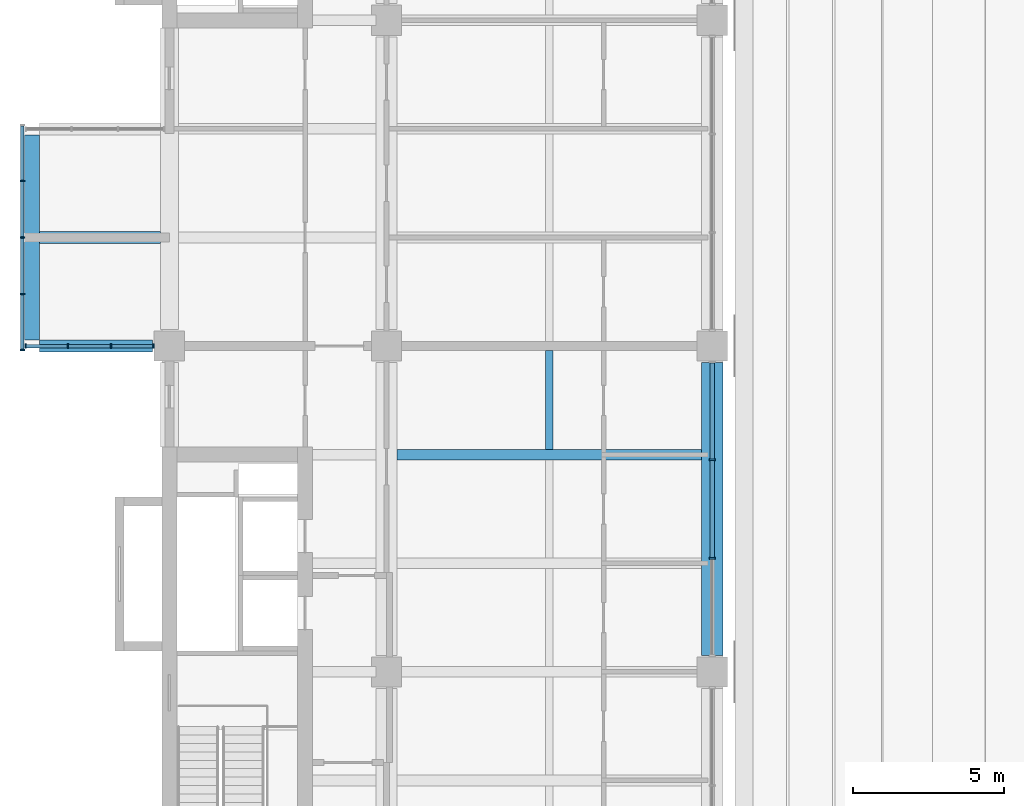
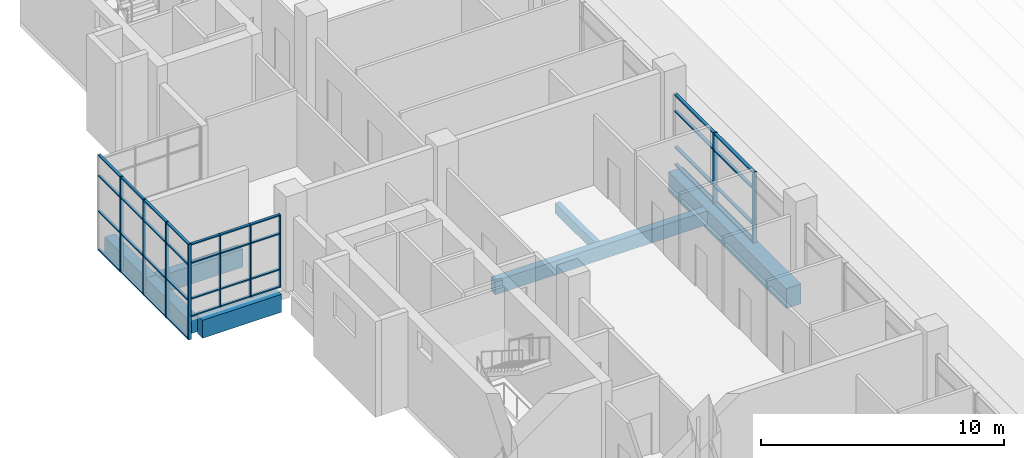
# One storey, part 10 of 45: 46 members, 7 beams, 3 elements without a shape of their own.
"""IFC4 building model written with IfcOpenShell, lengths in metres."""

from ifc_helpers import new_model, si_unit, direction, frame, origin, origin_2d, place, context, subcontext, project, spatial, rectangle, extrude, material, layer, layer_set, material_profile, profile_set, type_object, element, aggregate, save


model = new_model("IFC4")

# Units and contexts
model_context = context("Model", 3, precision=1e-05, world=origin(), true_north=direction((0.0, 1.0)))
body_context = subcontext(model_context, "Body", "Model", "MODEL_VIEW")
ifc_project = project(units=[si_unit("LENGTHUNIT", "METRE"), si_unit("AREAUNIT", "SQUARE_METRE"), si_unit("VOLUMEUNIT", "CUBIC_METRE"), si_unit("PLANEANGLEUNIT", "RADIAN"), si_unit("MASSUNIT", "GRAM", prefix="KILO")], contexts=[model_context])

# Site, building, storey
site_placement = place(None, origin())
site = spatial("IfcSite", under=ifc_project, at=site_placement, CompositionType="ELEMENT")
building_placement = place(site_placement, origin())
building = spatial("IfcBuilding", under=site, at=building_placement, Name="Basin Gate Institute", CompositionType="ELEMENT")
storey_placement = place(building_placement, frame((0.0, 0.0, 22.199951171875)))
storey = spatial("IfcBuildingStorey", under=building, at=storey_placement, Name="L04", CompositionType="ELEMENT", Elevation=22.199951171875)

# Beams
ifc_material_1 = material(Name="Concrete 40 MPa", Category="concrete")
ifc_material_profile_1 = material_profile(ifc_material_1, rectangle(XDim=0.35009765625, YDim=0.699951171875, at=origin_2d()), Name="Beam B1 350 x 700")
ifc_profile_set_1 = profile_set([ifc_material_profile_1], Name="Concrete 40 MPa")
beam_type_1 = type_object("IfcBeamType", Name="Beam B1 R120", PredefinedType="BEAM", material=ifc_profile_set_1)
beam_1_placement = place(storey_placement, frame((68.75, 74.699951171875, -0.599853515625), z_axis=(1.0, 0.0, 0.0), x_axis=(0.0, 1.0, 0.0)))
element("IfcBeam", 1, at=beam_1_placement, inside=storey, type_object=beam_type_1, material=ifc_profile_set_1, Name="BEAM/L04/W/EW/12", PredefinedType="BEAM", context=body_context, shape_type="SweptSolid", body=[
    extrude(rectangle(XDim=0.35009765625, YDim=0.699951171875, at=origin_2d()), origin(), (0.0, 0.0, 1.0), 10.10009765625),
])
ifc_material_2 = material(Name="Concrete 50 MPa", Category="concrete")
ifc_material_profile_2 = material_profile(ifc_material_2, rectangle(XDim=0.39990234375, YDim=0.89990234375, at=origin_2d()), Name="Cantilever beam B3 400 x 900")
ifc_profile_set_2 = profile_set([ifc_material_profile_2], Name="Concrete 50 MPa")
beam_type_2 = type_object("IfcBeamType", Name="Cantilever beam B3 R120", PredefinedType="BEAM", material=ifc_profile_set_2)
beam_2_placement = place(storey_placement, frame((56.89990234375, 78.300048828125, -0.699951171875), z_axis=(1.0, 0.0, 0.0), x_axis=(0.0, 1.0, 0.0)))
element("IfcBeam", 2, at=beam_2_placement, inside=storey, type_object=beam_type_2, material=ifc_profile_set_2, Name="BEAM/L04/W/CANT/13", PredefinedType="BEAM", context=body_context, shape_type="SweptSolid", body=[
    extrude(rectangle(XDim=0.39990234375, YDim=0.89990234375, at=origin_2d()), origin(), (0.0, 0.0, 1.0), 3.75),
])
beam_3_placement = place(storey_placement, frame((56.89990234375, 81.89990234375, -0.699951171875), z_axis=(1.0, 0.0, 0.0), x_axis=(0.0, 1.0, 0.0)))
element("IfcBeam", 3, at=beam_3_placement, inside=storey, type_object=beam_type_2, material=ifc_profile_set_2, Name="BEAM/L04/W/CANT/14", PredefinedType="BEAM", context=body_context, shape_type="SweptSolid", body=[
    extrude(rectangle(XDim=0.39990234375, YDim=0.89990234375, at=origin_2d()), origin(), (0.0, 0.0, 1.0), 4.0),
])
ifc_material_3 = material(Name="Concrete 50 MPa", Category="concrete")
ifc_material_profile_3 = material_profile(ifc_material_3, rectangle(XDim=0.699951171875, YDim=1.0, at=origin_2d()), Name="Girder G1 700 x 1000")
ifc_profile_set_3 = profile_set([ifc_material_profile_3], Name="Concrete 50 MPa")
beam_type_3 = type_object("IfcBeamType", Name="Girder G1 R120", PredefinedType="BEAM", material=ifc_profile_set_3)
beam_4_placement = place(storey_placement, frame((79.199951171875, 68.050048828125, -0.75), z_axis=(0.0, 1.0, 0.0), x_axis=(-1.0, 0.0, 0.0)))
element("IfcBeam", 4, at=beam_4_placement, inside=storey, type_object=beam_type_3, material=ifc_profile_set_3, Name="GIR/L04/W6/4", PredefinedType="BEAM", context=body_context, shape_type="SweptSolid", body=[
    extrude(rectangle(XDim=0.699951171875, YDim=1.0, at=origin_2d()), origin(), (0.0, 0.0, 1.0), 9.699951171875),
])

# Curtain wall, members
ifc_material_4 = material(Name="Aluminium-framed glazing", Category="aluminium")
ifc_layer_1 = layer(ifc_material_4, 0.14990234375)
ifc_layer_set_1 = layer_set([ifc_layer_1], Name="Capsule front curtain wall CW1")
curtain_wall_type_1 = type_object("IfcCurtainWallType", Name="Capsule front curtain wall CW1", PredefinedType="NOTDEFINED", material=ifc_layer_set_1)
curtain_wall_1_placement = place(storey_placement, origin())
curtain_wall_1 = element("IfcCurtainWall", 5, at=curtain_wall_1_placement, inside=storey, type_object=curtain_wall_type_1, material=ifc_layer_set_1, Name="Capsule front curtain wall W wing capsule end L04 line 13", PredefinedType="NOTDEFINED")
ifc_material_5 = material(Name="Aluminium", Category="aluminium")
ifc_material_profile_4 = material_profile(ifc_material_5, rectangle(XDim=0.14990234375, YDim=0.050048828125, at=origin_2d()), Name="Mullion MU1 150 x 50")
ifc_profile_set_4 = profile_set([ifc_material_profile_4], Name="Aluminium")
member_type_1 = type_object("IfcMemberType", Name="Mullion MU1", PredefinedType="MULLION", material=ifc_profile_set_4)
member_1_placement = place(storey_placement, frame((56.425048828125, 78.300048828125, 0.0), z_axis=(0.0, 0.0, 1.0), x_axis=(0.0, 1.0, 0.0)))
member_1 = element("IfcMember", 6, at=member_1_placement, type_object=member_type_1, material=ifc_profile_set_4, Name="CW1 mullion 1", PredefinedType="MULLION", context=body_context, shape_type="SweptSolid", body=[
    extrude(rectangle(XDim=0.14990234375, YDim=0.050048828125, at=origin_2d()), origin(), (0.0, 0.0, 1.0), 3.650146484375),
])
member_2_placement = place(storey_placement, frame((57.833251953125, 78.300048828125, 0.0), z_axis=(0.0, 0.0, 1.0), x_axis=(0.0, 1.0, 0.0)))
member_2 = element("IfcMember", 7, at=member_2_placement, type_object=member_type_1, material=ifc_profile_set_4, Name="CW1 mullion 2", PredefinedType="MULLION", context=body_context, shape_type="SweptSolid", body=[
    extrude(rectangle(XDim=0.14990234375, YDim=0.050048828125, at=origin_2d()), origin(), (0.0, 0.0, 1.0), 3.650146484375),
])
member_3_placement = place(storey_placement, frame((59.2666015625, 78.300048828125, 0.0), z_axis=(0.0, 0.0, 1.0), x_axis=(0.0, 1.0, 0.0)))
member_3 = element("IfcMember", 8, at=member_3_placement, type_object=member_type_1, material=ifc_profile_set_4, Name="CW1 mullion 3", PredefinedType="MULLION", context=body_context, shape_type="SweptSolid", body=[
    extrude(rectangle(XDim=0.14990234375, YDim=0.050048828125, at=origin_2d()), origin(), (0.0, 0.0, 1.0), 3.650146484375),
])
member_4_placement = place(storey_placement, frame((60.675048828125, 78.300048828125, 0.0), z_axis=(0.0, 0.0, 1.0), x_axis=(0.0, 1.0, 0.0)))
member_4 = element("IfcMember", 9, at=member_4_placement, type_object=member_type_1, material=ifc_profile_set_4, Name="CW1 mullion 4", PredefinedType="MULLION", context=body_context, shape_type="SweptSolid", body=[
    extrude(rectangle(XDim=0.14990234375, YDim=0.050048828125, at=origin_2d()), origin(), (0.0, 0.0, 1.0), 3.650146484375),
])

curtain_wall_2_placement = place(storey_placement, origin())
curtain_wall_2 = element("IfcCurtainWall", 10, at=curtain_wall_2_placement, inside=storey, type_object=curtain_wall_type_1, material=ifc_layer_set_1, Name="Capsule front curtain wall W wing capsule 2 L04 front 2", PredefinedType="NOTDEFINED")
member_5_placement = place(storey_placement, frame((56.324951171875, 78.175048828125, -1.050048828125), z_axis=(0.0, 0.0, 1.0), x_axis=(-1.0, 0.0, 0.0)))
member_5 = element("IfcMember", 11, at=member_5_placement, type_object=member_type_1, material=ifc_profile_set_4, Name="CW1 mullion 1", PredefinedType="MULLION", context=body_context, shape_type="SweptSolid", body=[
    extrude(rectangle(XDim=0.14990234375, YDim=0.050048828125, at=origin_2d()), origin(), (0.0, 0.0, 1.0), 4.800048828125),
])
member_6_placement = place(storey_placement, frame((56.324951171875, 80.02490234375, -1.050048828125), z_axis=(0.0, 0.0, 1.0), x_axis=(-1.0, 0.0, 0.0)))
member_6 = element("IfcMember", 12, at=member_6_placement, type_object=member_type_1, material=ifc_profile_set_4, Name="CW1 mullion 2", PredefinedType="MULLION", context=body_context, shape_type="SweptSolid", body=[
    extrude(rectangle(XDim=0.14990234375, YDim=0.050048828125, at=origin_2d()), origin(), (0.0, 0.0, 1.0), 4.800048828125),
])
member_7_placement = place(storey_placement, frame((56.324951171875, 81.89990234375, -1.050048828125), z_axis=(0.0, 0.0, 1.0), x_axis=(-1.0, 0.0, 0.0)))
member_7 = element("IfcMember", 13, at=member_7_placement, type_object=member_type_1, material=ifc_profile_set_4, Name="CW1 mullion 3", PredefinedType="MULLION", context=body_context, shape_type="SweptSolid", body=[
    extrude(rectangle(XDim=0.14990234375, YDim=0.050048828125, at=origin_2d()), origin(), (0.0, 0.0, 1.0), 4.800048828125),
])
member_8_placement = place(storey_placement, frame((56.324951171875, 83.77490234375, -1.050048828125), z_axis=(0.0, 0.0, 1.0), x_axis=(-1.0, 0.0, 0.0)))
member_8 = element("IfcMember", 14, at=member_8_placement, type_object=member_type_1, material=ifc_profile_set_4, Name="CW1 mullion 4", PredefinedType="MULLION", context=body_context, shape_type="SweptSolid", body=[
    extrude(rectangle(XDim=0.14990234375, YDim=0.050048828125, at=origin_2d()), origin(), (0.0, 0.0, 1.0), 4.800048828125),
])

ifc_material_6 = material(Name="Aluminium-framed glazing", Category="aluminium")
ifc_layer_2 = layer(ifc_material_6, 0.199951171875)
ifc_layer_set_2 = layer_set([ifc_layer_2], Name="Atrium curtain wall CW2")
curtain_wall_type_2 = type_object("IfcCurtainWallType", Name="Atrium curtain wall CW2", PredefinedType="NOTDEFINED", material=ifc_layer_set_2)
curtain_wall_3_placement = place(storey_placement, origin())
curtain_wall_3 = element("IfcCurtainWall", 15, at=curtain_wall_3_placement, inside=storey, type_object=curtain_wall_type_2, material=ifc_layer_set_2, Name="Atrium curtain wall W wing atrium bay 4 L04", PredefinedType="NOTDEFINED")
ifc_material_7 = material(Name="Aluminium", Category="aluminium")
ifc_material_profile_5 = material_profile(ifc_material_7, rectangle(XDim=0.199951171875, YDim=0.06005859375, at=origin_2d()), Name="Mullion MU2 200 x 60")
ifc_profile_set_5 = profile_set([ifc_material_profile_5], Name="Aluminium")
member_type_2 = type_object("IfcMemberType", Name="Mullion MU2", PredefinedType="MULLION", material=ifc_profile_set_5)
member_9_placement = place(storey_placement, frame((79.199951171875, 71.2666015625, 0.0), z_axis=(0.0, 0.0, 1.0), x_axis=(-1.0, 0.0, 0.0)))
member_9 = element("IfcMember", 16, at=member_9_placement, type_object=member_type_2, material=ifc_profile_set_5, Name="CW2 mullion 2", PredefinedType="MULLION", context=body_context, shape_type="SweptSolid", body=[
    extrude(rectangle(XDim=0.199951171875, YDim=0.06005859375, at=origin_2d()), origin(), (0.0, 0.0, 1.0), 3.550048828125),
])
member_10_placement = place(storey_placement, frame((79.199951171875, 74.533447265625, 0.0), z_axis=(0.0, 0.0, 1.0), x_axis=(-1.0, 0.0, 0.0)))
member_10 = element("IfcMember", 17, at=member_10_placement, type_object=member_type_2, material=ifc_profile_set_5, Name="CW2 mullion 3", PredefinedType="MULLION", context=body_context, shape_type="SweptSolid", body=[
    extrude(rectangle(XDim=0.199951171875, YDim=0.06005859375, at=origin_2d()), origin(), (0.0, 0.0, 1.0), 3.550048828125),
])

# Beams
ifc_material_8 = material(Name="Concrete 40 MPa", Category="concrete")
ifc_material_profile_6 = material_profile(ifc_material_8, rectangle(XDim=0.25, YDim=0.5, at=origin_2d()), Name="Rib R1 250 x 500")
ifc_profile_set_6 = profile_set([ifc_material_profile_6], Name="Concrete 40 MPa")
beam_type_4 = type_object("IfcBeamType", Name="Rib R1 R120", PredefinedType="JOIST", material=ifc_profile_set_6)
beam_5_placement = place(storey_placement, frame((73.800048828125, 74.875, -0.5), z_axis=(0.0, 1.0, 0.0), x_axis=(-1.0, 0.0, 0.0)))
element("IfcBeam", 18, at=beam_5_placement, inside=storey, type_object=beam_type_4, material=ifc_profile_set_6, Name="BEAM/L04/W/RIB/12", PredefinedType="JOIST", context=body_context, shape_type="SweptSolid", body=[
    extrude(rectangle(XDim=0.25, YDim=0.5, at=origin_2d()), origin(), (0.0, 0.0, 1.0), 3.27490234375),
])
ifc_material_9 = material(Name="Concrete 50 MPa", Category="concrete")
ifc_material_profile_7 = material_profile(ifc_material_9, rectangle(XDim=0.5, YDim=0.800048828125, at=origin_2d()), Name="Tip beam TB1 500 x 800")
ifc_profile_set_7 = profile_set([ifc_material_profile_7], Name="Concrete 50 MPa")
beam_type_5 = type_object("IfcBeamType", Name="Tip beam TB1 R120", PredefinedType="SPANDREL", material=ifc_profile_set_7)
beam_6_placement = place(storey_placement, frame((56.64990234375, 78.5, -0.64990234375), z_axis=(0.0, 1.0, 0.0), x_axis=(-1.0, 0.0, 0.0)))
element("IfcBeam", 19, at=beam_6_placement, inside=storey, type_object=beam_type_5, material=ifc_profile_set_7, Name="BEAM/L04/W/TIP/6", PredefinedType="SPANDREL", context=body_context, shape_type="SweptSolid", body=[
    extrude(rectangle(XDim=0.5, YDim=0.800048828125, at=origin_2d()), origin(), (0.0, 0.0, 1.0), 3.39990234375),
])
beam_7_placement = place(storey_placement, frame((56.64990234375, 81.89990234375, -0.64990234375), z_axis=(0.0, 1.0, 0.0), x_axis=(-1.0, 0.0, 0.0)))
element("IfcBeam", 20, at=beam_7_placement, inside=storey, type_object=beam_type_5, material=ifc_profile_set_7, Name="BEAM/L04/W/TIP/7", PredefinedType="SPANDREL", context=body_context, shape_type="SweptSolid", body=[
    extrude(rectangle(XDim=0.5, YDim=0.800048828125, at=origin_2d()), origin(), (0.0, 0.0, 1.0), 3.400146484375),
])

# Member
ifc_material_10 = material(Name="Aluminium", Category="aluminium")
ifc_material_profile_8 = material_profile(ifc_material_10, rectangle(XDim=0.1201171875, YDim=0.06005859375, at=origin_2d()), Name="Transom TR1 120 x 60")
ifc_profile_set_8 = profile_set([ifc_material_profile_8], Name="Aluminium")
member_type_3 = type_object("IfcMemberType", Name="Transom TR1", PredefinedType="USERDEFINED", material=ifc_profile_set_8)
member_11_placement = place(storey_placement, frame((56.449951171875, 78.300048828125, 0.030029296875), z_axis=(1.0, 0.0, 0.0), x_axis=(0.0, 1.0, 0.0)))
member_11 = element("IfcMember", 21, at=member_11_placement, type_object=member_type_3, material=ifc_profile_set_8, Name="CW1 transom 1.1", ObjectType="TRANSOM", PredefinedType="USERDEFINED", context=body_context, shape_type="SweptSolid", body=[
    extrude(rectangle(XDim=0.1201171875, YDim=0.06005859375, at=origin_2d()), origin(), (0.0, 0.0, 1.0), 1.3583984375),
])

member_12_placement = place(storey_placement, frame((56.449951171875, 78.300048828125, 0.900146484375), z_axis=(1.0, 0.0, 0.0), x_axis=(0.0, 1.0, 0.0)))
member_12 = element("IfcMember", 22, at=member_12_placement, type_object=member_type_3, material=ifc_profile_set_8, Name="CW1 transom 1.2", ObjectType="TRANSOM", PredefinedType="USERDEFINED", context=body_context, shape_type="SweptSolid", body=[
    extrude(rectangle(XDim=0.1201171875, YDim=0.06005859375, at=origin_2d()), origin(), (0.0, 0.0, 1.0), 1.3583984375),
])

member_13_placement = place(storey_placement, frame((56.449951171875, 78.300048828125, 2.699951171875), z_axis=(1.0, 0.0, 0.0), x_axis=(0.0, 1.0, 0.0)))
member_13 = element("IfcMember", 23, at=member_13_placement, type_object=member_type_3, material=ifc_profile_set_8, Name="CW1 transom 1.3", ObjectType="TRANSOM", PredefinedType="USERDEFINED", context=body_context, shape_type="SweptSolid", body=[
    extrude(rectangle(XDim=0.1201171875, YDim=0.06005859375, at=origin_2d()), origin(), (0.0, 0.0, 1.0), 1.3583984375),
])

member_14_placement = place(storey_placement, frame((56.449951171875, 78.300048828125, 3.6201171875), z_axis=(1.0, 0.0, 0.0), x_axis=(0.0, 1.0, 0.0)))
member_14 = element("IfcMember", 24, at=member_14_placement, type_object=member_type_3, material=ifc_profile_set_8, Name="CW1 transom 1.4", ObjectType="TRANSOM", PredefinedType="USERDEFINED", context=body_context, shape_type="SweptSolid", body=[
    extrude(rectangle(XDim=0.1201171875, YDim=0.06005859375, at=origin_2d()), origin(), (0.0, 0.0, 1.0), 1.3583984375),
])

member_15_placement = place(storey_placement, frame((57.8583984375, 78.300048828125, 0.030029296875), z_axis=(1.0, 0.0, 0.0), x_axis=(0.0, 1.0, 0.0)))
member_15 = element("IfcMember", 25, at=member_15_placement, type_object=member_type_3, material=ifc_profile_set_8, Name="CW1 transom 2.1", ObjectType="TRANSOM", PredefinedType="USERDEFINED", context=body_context, shape_type="SweptSolid", body=[
    extrude(rectangle(XDim=0.1201171875, YDim=0.06005859375, at=origin_2d()), origin(), (0.0, 0.0, 1.0), 1.38330078125),
])

member_16_placement = place(storey_placement, frame((57.8583984375, 78.300048828125, 0.900146484375), z_axis=(1.0, 0.0, 0.0), x_axis=(0.0, 1.0, 0.0)))
member_16 = element("IfcMember", 26, at=member_16_placement, type_object=member_type_3, material=ifc_profile_set_8, Name="CW1 transom 2.2", ObjectType="TRANSOM", PredefinedType="USERDEFINED", context=body_context, shape_type="SweptSolid", body=[
    extrude(rectangle(XDim=0.1201171875, YDim=0.06005859375, at=origin_2d()), origin(), (0.0, 0.0, 1.0), 1.38330078125),
])

member_17_placement = place(storey_placement, frame((57.8583984375, 78.300048828125, 2.699951171875), z_axis=(1.0, 0.0, 0.0), x_axis=(0.0, 1.0, 0.0)))
member_17 = element("IfcMember", 27, at=member_17_placement, type_object=member_type_3, material=ifc_profile_set_8, Name="CW1 transom 2.3", ObjectType="TRANSOM", PredefinedType="USERDEFINED", context=body_context, shape_type="SweptSolid", body=[
    extrude(rectangle(XDim=0.1201171875, YDim=0.06005859375, at=origin_2d()), origin(), (0.0, 0.0, 1.0), 1.38330078125),
])

member_18_placement = place(storey_placement, frame((57.8583984375, 78.300048828125, 3.6201171875), z_axis=(1.0, 0.0, 0.0), x_axis=(0.0, 1.0, 0.0)))
member_18 = element("IfcMember", 28, at=member_18_placement, type_object=member_type_3, material=ifc_profile_set_8, Name="CW1 transom 2.4", ObjectType="TRANSOM", PredefinedType="USERDEFINED", context=body_context, shape_type="SweptSolid", body=[
    extrude(rectangle(XDim=0.1201171875, YDim=0.06005859375, at=origin_2d()), origin(), (0.0, 0.0, 1.0), 1.38330078125),
])

member_19_placement = place(storey_placement, frame((59.291748046875, 78.300048828125, 0.030029296875), z_axis=(1.0, 0.0, 0.0), x_axis=(0.0, 1.0, 0.0)))
member_19 = element("IfcMember", 29, at=member_19_placement, type_object=member_type_3, material=ifc_profile_set_8, Name="CW1 transom 3.1", ObjectType="TRANSOM", PredefinedType="USERDEFINED", context=body_context, shape_type="SweptSolid", body=[
    extrude(rectangle(XDim=0.1201171875, YDim=0.06005859375, at=origin_2d()), origin(), (0.0, 0.0, 1.0), 1.358154296875),
])

member_20_placement = place(storey_placement, frame((59.291748046875, 78.300048828125, 0.900146484375), z_axis=(1.0, 0.0, 0.0), x_axis=(0.0, 1.0, 0.0)))
member_20 = element("IfcMember", 30, at=member_20_placement, type_object=member_type_3, material=ifc_profile_set_8, Name="CW1 transom 3.2", ObjectType="TRANSOM", PredefinedType="USERDEFINED", context=body_context, shape_type="SweptSolid", body=[
    extrude(rectangle(XDim=0.1201171875, YDim=0.06005859375, at=origin_2d()), origin(), (0.0, 0.0, 1.0), 1.358154296875),
])

member_21_placement = place(storey_placement, frame((59.291748046875, 78.300048828125, 2.699951171875), z_axis=(1.0, 0.0, 0.0), x_axis=(0.0, 1.0, 0.0)))
member_21 = element("IfcMember", 31, at=member_21_placement, type_object=member_type_3, material=ifc_profile_set_8, Name="CW1 transom 3.3", ObjectType="TRANSOM", PredefinedType="USERDEFINED", context=body_context, shape_type="SweptSolid", body=[
    extrude(rectangle(XDim=0.1201171875, YDim=0.06005859375, at=origin_2d()), origin(), (0.0, 0.0, 1.0), 1.358154296875),
])

member_22_placement = place(storey_placement, frame((59.291748046875, 78.300048828125, 3.6201171875), z_axis=(1.0, 0.0, 0.0), x_axis=(0.0, 1.0, 0.0)))
member_22 = element("IfcMember", 32, at=member_22_placement, type_object=member_type_3, material=ifc_profile_set_8, Name="CW1 transom 3.4", ObjectType="TRANSOM", PredefinedType="USERDEFINED", context=body_context, shape_type="SweptSolid", body=[
    extrude(rectangle(XDim=0.1201171875, YDim=0.06005859375, at=origin_2d()), origin(), (0.0, 0.0, 1.0), 1.358154296875),
])

aggregate(curtain_wall_1, [member_1, member_2, member_3, member_4, member_11, member_12, member_13, member_14, member_15, member_16, member_17, member_18, member_19, member_20, member_21, member_22])

member_23_placement = place(storey_placement, frame((56.324951171875, 78.199951171875, -1.02001953125), z_axis=(0.0, 1.0, 0.0), x_axis=(-1.0, 0.0, 0.0)))
member_23 = element("IfcMember", 33, at=member_23_placement, type_object=member_type_3, material=ifc_profile_set_8, Name="CW1 transom 1.1", ObjectType="TRANSOM", PredefinedType="USERDEFINED", context=body_context, shape_type="SweptSolid", body=[
    extrude(rectangle(XDim=0.1201171875, YDim=0.06005859375, at=origin_2d()), origin(), (0.0, 0.0, 1.0), 1.800048828125),
])

member_24_placement = place(storey_placement, frame((56.324951171875, 78.199951171875, 0.900146484375), z_axis=(0.0, 1.0, 0.0), x_axis=(-1.0, 0.0, 0.0)))
member_24 = element("IfcMember", 34, at=member_24_placement, type_object=member_type_3, material=ifc_profile_set_8, Name="CW1 transom 1.2", ObjectType="TRANSOM", PredefinedType="USERDEFINED", context=body_context, shape_type="SweptSolid", body=[
    extrude(rectangle(XDim=0.1201171875, YDim=0.06005859375, at=origin_2d()), origin(), (0.0, 0.0, 1.0), 1.800048828125),
])

member_25_placement = place(storey_placement, frame((56.324951171875, 78.199951171875, 2.699951171875), z_axis=(0.0, 1.0, 0.0), x_axis=(-1.0, 0.0, 0.0)))
member_25 = element("IfcMember", 35, at=member_25_placement, type_object=member_type_3, material=ifc_profile_set_8, Name="CW1 transom 1.3", ObjectType="TRANSOM", PredefinedType="USERDEFINED", context=body_context, shape_type="SweptSolid", body=[
    extrude(rectangle(XDim=0.1201171875, YDim=0.06005859375, at=origin_2d()), origin(), (0.0, 0.0, 1.0), 1.800048828125),
])

member_26_placement = place(storey_placement, frame((56.324951171875, 78.199951171875, 3.719970703125), z_axis=(0.0, 1.0, 0.0), x_axis=(-1.0, 0.0, 0.0)))
member_26 = element("IfcMember", 36, at=member_26_placement, type_object=member_type_3, material=ifc_profile_set_8, Name="CW1 transom 1.4", ObjectType="TRANSOM", PredefinedType="USERDEFINED", context=body_context, shape_type="SweptSolid", body=[
    extrude(rectangle(XDim=0.1201171875, YDim=0.06005859375, at=origin_2d()), origin(), (0.0, 0.0, 1.0), 1.800048828125),
])

member_27_placement = place(storey_placement, frame((56.324951171875, 80.050048828125, -1.02001953125), z_axis=(0.0, 1.0, 0.0), x_axis=(-1.0, 0.0, 0.0)))
member_27 = element("IfcMember", 37, at=member_27_placement, type_object=member_type_3, material=ifc_profile_set_8, Name="CW1 transom 2.1", ObjectType="TRANSOM", PredefinedType="USERDEFINED", context=body_context, shape_type="SweptSolid", body=[
    extrude(rectangle(XDim=0.1201171875, YDim=0.06005859375, at=origin_2d()), origin(), (0.0, 0.0, 1.0), 1.824951171875),
])

member_28_placement = place(storey_placement, frame((56.324951171875, 80.050048828125, 0.900146484375), z_axis=(0.0, 1.0, 0.0), x_axis=(-1.0, 0.0, 0.0)))
member_28 = element("IfcMember", 38, at=member_28_placement, type_object=member_type_3, material=ifc_profile_set_8, Name="CW1 transom 2.2", ObjectType="TRANSOM", PredefinedType="USERDEFINED", context=body_context, shape_type="SweptSolid", body=[
    extrude(rectangle(XDim=0.1201171875, YDim=0.06005859375, at=origin_2d()), origin(), (0.0, 0.0, 1.0), 1.824951171875),
])

member_29_placement = place(storey_placement, frame((56.324951171875, 80.050048828125, 2.699951171875), z_axis=(0.0, 1.0, 0.0), x_axis=(-1.0, 0.0, 0.0)))
member_29 = element("IfcMember", 39, at=member_29_placement, type_object=member_type_3, material=ifc_profile_set_8, Name="CW1 transom 2.3", ObjectType="TRANSOM", PredefinedType="USERDEFINED", context=body_context, shape_type="SweptSolid", body=[
    extrude(rectangle(XDim=0.1201171875, YDim=0.06005859375, at=origin_2d()), origin(), (0.0, 0.0, 1.0), 1.824951171875),
])

member_30_placement = place(storey_placement, frame((56.324951171875, 80.050048828125, 3.719970703125), z_axis=(0.0, 1.0, 0.0), x_axis=(-1.0, 0.0, 0.0)))
member_30 = element("IfcMember", 40, at=member_30_placement, type_object=member_type_3, material=ifc_profile_set_8, Name="CW1 transom 2.4", ObjectType="TRANSOM", PredefinedType="USERDEFINED", context=body_context, shape_type="SweptSolid", body=[
    extrude(rectangle(XDim=0.1201171875, YDim=0.06005859375, at=origin_2d()), origin(), (0.0, 0.0, 1.0), 1.824951171875),
])

member_31_placement = place(storey_placement, frame((56.324951171875, 81.925048828125, -1.02001953125), z_axis=(0.0, 1.0, 0.0), x_axis=(-1.0, 0.0, 0.0)))
member_31 = element("IfcMember", 41, at=member_31_placement, type_object=member_type_3, material=ifc_profile_set_8, Name="CW1 transom 3.1", ObjectType="TRANSOM", PredefinedType="USERDEFINED", context=body_context, shape_type="SweptSolid", body=[
    extrude(rectangle(XDim=0.1201171875, YDim=0.06005859375, at=origin_2d()), origin(), (0.0, 0.0, 1.0), 1.824951171875),
])

member_32_placement = place(storey_placement, frame((56.324951171875, 81.925048828125, 0.900146484375), z_axis=(0.0, 1.0, 0.0), x_axis=(-1.0, 0.0, 0.0)))
member_32 = element("IfcMember", 42, at=member_32_placement, type_object=member_type_3, material=ifc_profile_set_8, Name="CW1 transom 3.2", ObjectType="TRANSOM", PredefinedType="USERDEFINED", context=body_context, shape_type="SweptSolid", body=[
    extrude(rectangle(XDim=0.1201171875, YDim=0.06005859375, at=origin_2d()), origin(), (0.0, 0.0, 1.0), 1.824951171875),
])

member_33_placement = place(storey_placement, frame((56.324951171875, 81.925048828125, 2.699951171875), z_axis=(0.0, 1.0, 0.0), x_axis=(-1.0, 0.0, 0.0)))
member_33 = element("IfcMember", 43, at=member_33_placement, type_object=member_type_3, material=ifc_profile_set_8, Name="CW1 transom 3.3", ObjectType="TRANSOM", PredefinedType="USERDEFINED", context=body_context, shape_type="SweptSolid", body=[
    extrude(rectangle(XDim=0.1201171875, YDim=0.06005859375, at=origin_2d()), origin(), (0.0, 0.0, 1.0), 1.824951171875),
])

member_34_placement = place(storey_placement, frame((56.324951171875, 81.925048828125, 3.719970703125), z_axis=(0.0, 1.0, 0.0), x_axis=(-1.0, 0.0, 0.0)))
member_34 = element("IfcMember", 44, at=member_34_placement, type_object=member_type_3, material=ifc_profile_set_8, Name="CW1 transom 3.4", ObjectType="TRANSOM", PredefinedType="USERDEFINED", context=body_context, shape_type="SweptSolid", body=[
    extrude(rectangle(XDim=0.1201171875, YDim=0.06005859375, at=origin_2d()), origin(), (0.0, 0.0, 1.0), 1.824951171875),
])

member_35_placement = place(storey_placement, frame((56.324951171875, 83.800048828125, -1.02001953125), z_axis=(0.0, 1.0, 0.0), x_axis=(-1.0, 0.0, 0.0)))
member_35 = element("IfcMember", 45, at=member_35_placement, type_object=member_type_3, material=ifc_profile_set_8, Name="CW1 transom 4.1", ObjectType="TRANSOM", PredefinedType="USERDEFINED", context=body_context, shape_type="SweptSolid", body=[
    extrude(rectangle(XDim=0.1201171875, YDim=0.06005859375, at=origin_2d()), origin(), (0.0, 0.0, 1.0), 1.800048828125),
])

member_36_placement = place(storey_placement, frame((56.324951171875, 83.800048828125, 0.900146484375), z_axis=(0.0, 1.0, 0.0), x_axis=(-1.0, 0.0, 0.0)))
member_36 = element("IfcMember", 46, at=member_36_placement, type_object=member_type_3, material=ifc_profile_set_8, Name="CW1 transom 4.2", ObjectType="TRANSOM", PredefinedType="USERDEFINED", context=body_context, shape_type="SweptSolid", body=[
    extrude(rectangle(XDim=0.1201171875, YDim=0.06005859375, at=origin_2d()), origin(), (0.0, 0.0, 1.0), 1.800048828125),
])

member_37_placement = place(storey_placement, frame((56.324951171875, 83.800048828125, 2.699951171875), z_axis=(0.0, 1.0, 0.0), x_axis=(-1.0, 0.0, 0.0)))
member_37 = element("IfcMember", 47, at=member_37_placement, type_object=member_type_3, material=ifc_profile_set_8, Name="CW1 transom 4.3", ObjectType="TRANSOM", PredefinedType="USERDEFINED", context=body_context, shape_type="SweptSolid", body=[
    extrude(rectangle(XDim=0.1201171875, YDim=0.06005859375, at=origin_2d()), origin(), (0.0, 0.0, 1.0), 1.800048828125),
])

member_38_placement = place(storey_placement, frame((56.324951171875, 83.800048828125, 3.719970703125), z_axis=(0.0, 1.0, 0.0), x_axis=(-1.0, 0.0, 0.0)))
member_38 = element("IfcMember", 48, at=member_38_placement, type_object=member_type_3, material=ifc_profile_set_8, Name="CW1 transom 4.4", ObjectType="TRANSOM", PredefinedType="USERDEFINED", context=body_context, shape_type="SweptSolid", body=[
    extrude(rectangle(XDim=0.1201171875, YDim=0.06005859375, at=origin_2d()), origin(), (0.0, 0.0, 1.0), 1.800048828125),
])

aggregate(curtain_wall_2, [member_5, member_6, member_7, member_8, member_23, member_24, member_25, member_26, member_27, member_28, member_29, member_30, member_31, member_32, member_33, member_34, member_35, member_36, member_37, member_38])

ifc_material_11 = material(Name="Aluminium", Category="aluminium")
ifc_material_profile_9 = material_profile(ifc_material_11, rectangle(XDim=0.14990234375, YDim=0.06005859375, at=origin_2d()), Name="Transom TR2 150 x 60")
ifc_profile_set_9 = profile_set([ifc_material_profile_9], Name="Aluminium")
member_type_4 = type_object("IfcMemberType", Name="Transom TR2", PredefinedType="USERDEFINED", material=ifc_profile_set_9)
member_39_placement = place(storey_placement, frame((79.199951171875, 71.296630859375, 0.030029296875), z_axis=(0.0, 1.0, 0.0), x_axis=(-1.0, 0.0, 0.0)))
member_39 = element("IfcMember", 49, at=member_39_placement, type_object=member_type_4, material=ifc_profile_set_9, Name="CW2 transom 2.1", ObjectType="TRANSOM", PredefinedType="USERDEFINED", context=body_context, shape_type="SweptSolid", body=[
    extrude(rectangle(XDim=0.14990234375, YDim=0.06005859375, at=origin_2d()), origin(), (0.0, 0.0, 1.0), 3.206787109375),
])

member_40_placement = place(storey_placement, frame((79.199951171875, 71.296630859375, 0.900146484375), z_axis=(0.0, 1.0, 0.0), x_axis=(-1.0, 0.0, 0.0)))
member_40 = element("IfcMember", 50, at=member_40_placement, type_object=member_type_4, material=ifc_profile_set_9, Name="CW2 transom 2.2", ObjectType="TRANSOM", PredefinedType="USERDEFINED", context=body_context, shape_type="SweptSolid", body=[
    extrude(rectangle(XDim=0.14990234375, YDim=0.06005859375, at=origin_2d()), origin(), (0.0, 0.0, 1.0), 3.206787109375),
])

member_41_placement = place(storey_placement, frame((79.199951171875, 71.296630859375, 2.699951171875), z_axis=(0.0, 1.0, 0.0), x_axis=(-1.0, 0.0, 0.0)))
member_41 = element("IfcMember", 51, at=member_41_placement, type_object=member_type_4, material=ifc_profile_set_9, Name="CW2 transom 2.3", ObjectType="TRANSOM", PredefinedType="USERDEFINED", context=body_context, shape_type="SweptSolid", body=[
    extrude(rectangle(XDim=0.14990234375, YDim=0.06005859375, at=origin_2d()), origin(), (0.0, 0.0, 1.0), 3.206787109375),
])

member_42_placement = place(storey_placement, frame((79.199951171875, 71.296630859375, 3.52001953125), z_axis=(0.0, 1.0, 0.0), x_axis=(-1.0, 0.0, 0.0)))
member_42 = element("IfcMember", 52, at=member_42_placement, type_object=member_type_4, material=ifc_profile_set_9, Name="CW2 transom 2.4", ObjectType="TRANSOM", PredefinedType="USERDEFINED", context=body_context, shape_type="SweptSolid", body=[
    extrude(rectangle(XDim=0.14990234375, YDim=0.06005859375, at=origin_2d()), origin(), (0.0, 0.0, 1.0), 3.206787109375),
])

member_43_placement = place(storey_placement, frame((79.199951171875, 74.563232421875, 0.030029296875), z_axis=(0.0, 1.0, 0.0), x_axis=(-1.0, 0.0, 0.0)))
member_43 = element("IfcMember", 53, at=member_43_placement, type_object=member_type_4, material=ifc_profile_set_9, Name="CW2 transom 3.1", ObjectType="TRANSOM", PredefinedType="USERDEFINED", context=body_context, shape_type="SweptSolid", body=[
    extrude(rectangle(XDim=0.14990234375, YDim=0.06005859375, at=origin_2d()), origin(), (0.0, 0.0, 1.0), 3.1767578125),
])

member_44_placement = place(storey_placement, frame((79.199951171875, 74.563232421875, 0.900146484375), z_axis=(0.0, 1.0, 0.0), x_axis=(-1.0, 0.0, 0.0)))
member_44 = element("IfcMember", 54, at=member_44_placement, type_object=member_type_4, material=ifc_profile_set_9, Name="CW2 transom 3.2", ObjectType="TRANSOM", PredefinedType="USERDEFINED", context=body_context, shape_type="SweptSolid", body=[
    extrude(rectangle(XDim=0.14990234375, YDim=0.06005859375, at=origin_2d()), origin(), (0.0, 0.0, 1.0), 3.1767578125),
])

member_45_placement = place(storey_placement, frame((79.199951171875, 74.563232421875, 2.699951171875), z_axis=(0.0, 1.0, 0.0), x_axis=(-1.0, 0.0, 0.0)))
member_45 = element("IfcMember", 55, at=member_45_placement, type_object=member_type_4, material=ifc_profile_set_9, Name="CW2 transom 3.3", ObjectType="TRANSOM", PredefinedType="USERDEFINED", context=body_context, shape_type="SweptSolid", body=[
    extrude(rectangle(XDim=0.14990234375, YDim=0.06005859375, at=origin_2d()), origin(), (0.0, 0.0, 1.0), 3.1767578125),
])

member_46_placement = place(storey_placement, frame((79.199951171875, 74.563232421875, 3.52001953125), z_axis=(0.0, 1.0, 0.0), x_axis=(-1.0, 0.0, 0.0)))
member_46 = element("IfcMember", 56, at=member_46_placement, type_object=member_type_4, material=ifc_profile_set_9, Name="CW2 transom 3.4", ObjectType="TRANSOM", PredefinedType="USERDEFINED", context=body_context, shape_type="SweptSolid", body=[
    extrude(rectangle(XDim=0.14990234375, YDim=0.06005859375, at=origin_2d()), origin(), (0.0, 0.0, 1.0), 3.1767578125),
])

aggregate(curtain_wall_3, [member_9, member_10, member_39, member_40, member_41, member_42, member_43, member_44, member_45, member_46])

save(model, "model.ifc")
